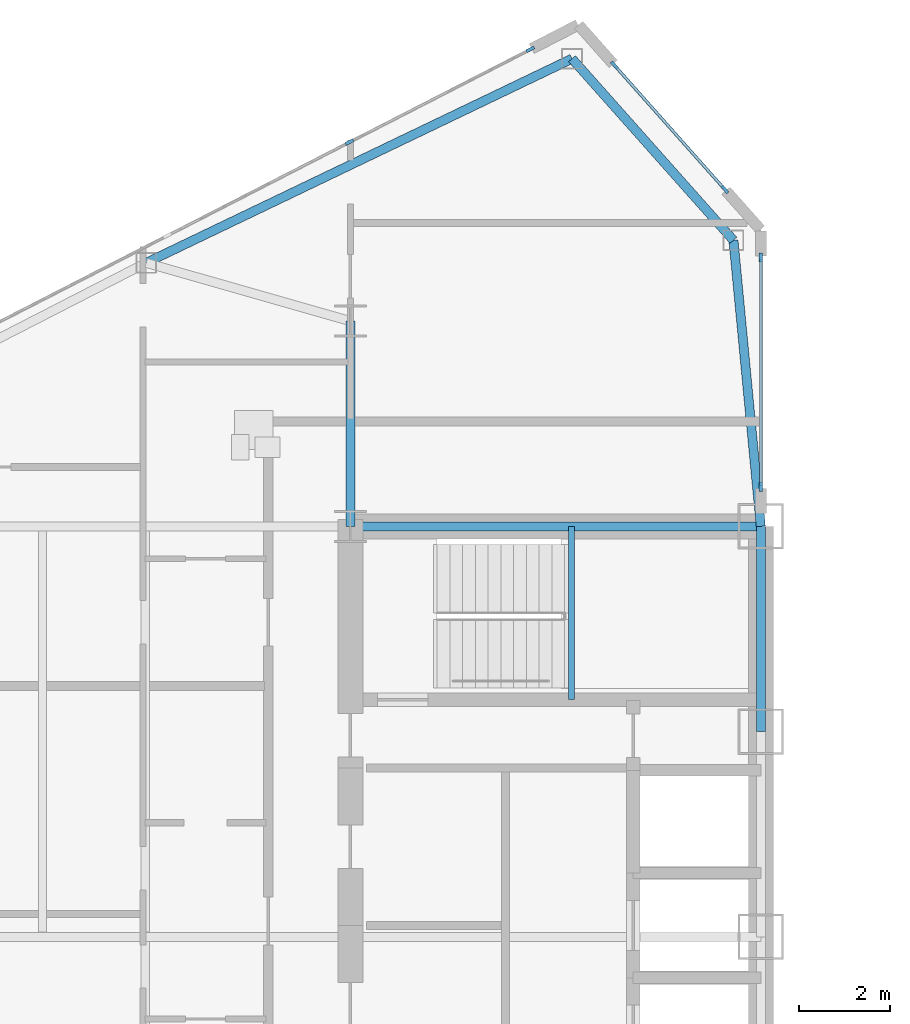
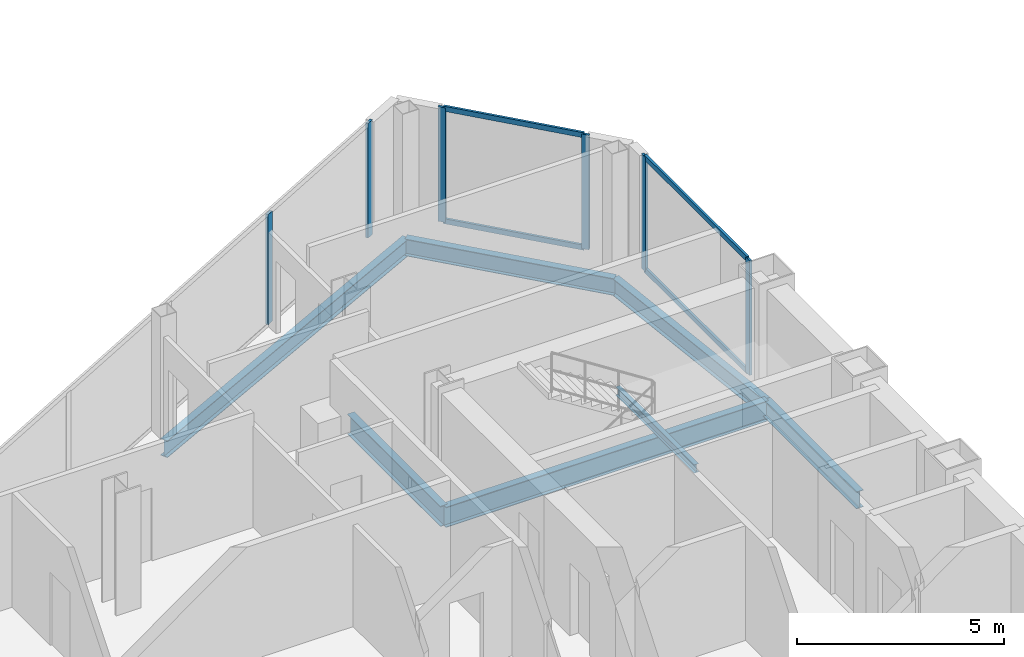
# One storey, part 7 of 23: 10 members, 7 beams, 3 elements without a shape of their own.
"""IFC4 building model written with IfcOpenShell, lengths in metres."""

import ifcopenshell
import ifcopenshell.guid

model = None  # the IFC model being written
_history = None  # IfcOwnerHistory: only IFC2X3 demands one
_inside = {}  # id of a spatial element -> (the spatial element, [elements in it])
_under = {}  # id of a project, library or spatial element -> (it, [spatial elements below it])
_declared = {}  # id of a project -> (the project, [libraries it declares])
_typed = {}  # id of a type object -> (the type object, [elements of that type])
_made_of = {}  # id of a material, layer set ... -> (it, [elements and type objects made of it])


def new_model(schema):
    """Start an empty IFC model of exactly this schema.

    Asked for "IFC4X3", IfcOpenShell would pick the latest addendum, in which some entities
    have other attributes; the version numbers below select the first issue.
    IFC2X3 requires an IfcOwnerHistory on every rooted entity: one is made here for all.
    """
    global model, _history
    if schema == "IFC4X3":
        model = ifcopenshell.file(schema_version=(4, 3, 0, 0))
    else:
        model = ifcopenshell.file(schema=schema)
    _inside.clear()
    _under.clear()
    _declared.clear()
    _typed.clear()
    _made_of.clear()
    _history = None
    if model.schema == "IFC2X3":
        org = make("IfcOrganization", Name="unknown")
        user = make(
            "IfcPersonAndOrganization",
            ThePerson=make("IfcPerson", FamilyName="unknown"),
            TheOrganization=org,
        )
        app = make(
            "IfcApplication",
            ApplicationDeveloper=org,
            Version="unknown",
            ApplicationFullName="unknown",
            ApplicationIdentifier="unknown",
        )
        _history = make(
            "IfcOwnerHistory",
            OwningUser=user,
            OwningApplication=app,
            ChangeAction="ADDED",
            CreationDate=0,
        )
    return model


def make(cls, **values):
    """One entity of the class cls with the attributes given. An attribute that is None is left unset."""
    return model.create_entity(
        cls, **{name: value for name, value in values.items() if value is not None}
    )


def rooted(cls, **values):
    """An entity with a GlobalId (a new one), such as an element, a storey or a relation."""
    return make(cls, GlobalId=ifcopenshell.guid.new(), OwnerHistory=_history, **values)


def si_unit(unit_type, name, prefix=None):
    """IfcSIUnit, for example si_unit("LENGTHUNIT", "METRE", prefix="MILLI")."""
    return make("IfcSIUnit", UnitType=unit_type, Prefix=prefix, Name=name)


def assignment(units):
    """IfcUnitAssignment: the units of a project."""
    return None if units is None else make("IfcUnitAssignment", Units=units)


def point(xyz):
    """IfcCartesianPoint."""
    return None if xyz is None else make("IfcCartesianPoint", Coordinates=xyz)


def direction(xyz):
    """IfcDirection."""
    return None if xyz is None else make("IfcDirection", DirectionRatios=xyz)


def frame(location, z_axis=None, x_axis=None):
    """IfcAxis2Placement3D, a coordinate frame: its origin and axes. An axis left out is left unset."""
    return make(
        "IfcAxis2Placement3D",
        Location=point(location),
        Axis=direction(z_axis),
        RefDirection=direction(x_axis),
    )


def frame_2d(location, x_axis=None):
    """IfcAxis2Placement2D, a coordinate frame in the plane: its origin and x axis."""
    return make(
        "IfcAxis2Placement2D", Location=point(location), RefDirection=direction(x_axis)
    )


def origin():
    """The frame at (0, 0, 0) with its axes left unset."""
    return frame((0.0, 0.0, 0.0))


def origin_2d():
    """The frame at (0, 0) in the plane with its x axis left unset."""
    return frame_2d((0.0, 0.0))


def place(relative_to, where):
    """IfcLocalPlacement: puts the frame where relative to a parent placement (None: the world)."""
    return make(
        "IfcLocalPlacement", PlacementRelTo=relative_to, RelativePlacement=where
    )


def context(
    kind, dimensions, precision=None, world=None, true_north=None, identifier=None
):
    """IfcGeometricRepresentationContext, for example the 3D "Model" context."""
    return make(
        "IfcGeometricRepresentationContext",
        ContextIdentifier=identifier,
        ContextType=kind,
        CoordinateSpaceDimension=dimensions,
        Precision=precision,
        WorldCoordinateSystem=world,
        TrueNorth=true_north,
    )


def subcontext(parent, identifier, kind, view, scale=None):
    """IfcGeometricRepresentationSubContext, for example "Body" below "Model"."""
    return make(
        "IfcGeometricRepresentationSubContext",
        ContextIdentifier=identifier,
        ContextType=kind,
        ParentContext=parent,
        TargetScale=scale,
        TargetView=view,
    )


def project(units=None, contexts=None):
    """IfcProject with its units and contexts."""
    return rooted(
        "IfcProject",
        Name="project",
        RepresentationContexts=contexts,
        UnitsInContext=assignment(units),
    )


def spatial(cls, under=None, at=None, **own):
    """A site, building, storey or space (cls), placed at a placement, below another one or the project."""
    s = rooted(cls, ObjectPlacement=at, **own)
    if under is not None:
        _under.setdefault(under.id(), (under, []))[1].append(s)
    return s


def profile(cls, at=None, kind="AREA", **sizes):
    """A parametric profile (cls). Its sizes go by their IFC names, for example OverallWidth=200.0."""
    return make(cls, ProfileType=kind, Position=at, **sizes)


def rectangle(**sizes):
    """IfcRectangleProfileDef."""
    return profile("IfcRectangleProfileDef", **sizes)


def i_section(**sizes):
    """IfcIShapeProfileDef."""
    return profile("IfcIShapeProfileDef", **sizes)


def extrude(swept, where, along, depth):
    """IfcExtrudedAreaSolid: the profile swept, set in the frame where, extruded along a direction by depth."""
    return make(
        "IfcExtrudedAreaSolid",
        SweptArea=swept,
        Position=where,
        ExtrudedDirection=direction(along),
        Depth=depth,
    )


def shape(context_of_items, identifier, shape_type, items):
    """IfcShapeRepresentation: the items that make up one representation, for example the "Body"."""
    return make(
        "IfcShapeRepresentation",
        ContextOfItems=context_of_items,
        RepresentationIdentifier=identifier,
        RepresentationType=shape_type,
        Items=items,
    )


def source(mapping_origin, context_of_items, identifier, shape_type, items):
    """IfcRepresentationMap: a shape defined once, which mapped items show again and again."""
    return make(
        "IfcRepresentationMap",
        MappingOrigin=mapping_origin,
        MappedRepresentation=shape(context_of_items, identifier, shape_type, items),
    )


def transform(
    local_origin,
    x_axis=None,
    y_axis=None,
    z_axis=None,
    scale=None,
    scale2=None,
    scale3=None,
    uniform=True,
):
    """IfcCartesianTransformationOperator3D, or its non-uniform kind. x_axis, y_axis, z_axis: its Axis1, 2, 3."""
    if uniform:
        return make(
            "IfcCartesianTransformationOperator3D",
            Axis1=direction(x_axis),
            Axis2=direction(y_axis),
            LocalOrigin=point(local_origin),
            Scale=scale,
            Axis3=direction(z_axis),
        )
    return make(
        "IfcCartesianTransformationOperator3DnonUniform",
        Axis1=direction(x_axis),
        Axis2=direction(y_axis),
        LocalOrigin=point(local_origin),
        Scale=scale,
        Axis3=direction(z_axis),
        Scale2=scale2,
        Scale3=scale3,
    )


def mapped(mapping_source, mapping_target):
    """IfcMappedItem: shows the shape of a source again, moved by a transform."""
    return make(
        "IfcMappedItem", MappingSource=mapping_source, MappingTarget=mapping_target
    )


def material(Name=None, Category=None):
    """IfcMaterial."""
    return make("IfcMaterial", Name=Name, Category=Category)


def layer(
    of_material, thickness, ventilated=None, Name=None, Category=None, Priority=None
):
    """IfcMaterialLayer: one layer of a wall or slab, of a material (None: an air gap)."""
    return make(
        "IfcMaterialLayer",
        Material=of_material,
        LayerThickness=thickness,
        IsVentilated=ventilated,
        Name=Name,
        Category=Category,
        Priority=Priority,
    )


def layer_set(layers, Name=None):
    """IfcMaterialLayerSet."""
    return make("IfcMaterialLayerSet", MaterialLayers=layers, LayerSetName=Name)


def material_profile(
    of_material, cross_section, Name=None, Category=None, Priority=None
):
    """IfcMaterialProfile: a cross section and its material."""
    return make(
        "IfcMaterialProfile",
        Name=Name,
        Material=of_material,
        Profile=cross_section,
        Priority=Priority,
        Category=Category,
    )


def profile_set(profiles, Name=None, composite=None):
    """IfcMaterialProfileSet."""
    return make(
        "IfcMaterialProfileSet",
        Name=Name,
        MaterialProfiles=profiles,
        CompositeProfile=composite,
    )


def made_of(thing, what):
    """Note that an element or type object is made of a material, layer set ...; save() writes the relation."""
    if what is not None:
        _made_of.setdefault(what.id(), (what, []))[1].append(thing)
    return thing


def type_object(cls, material=None, **own):
    """A type object (cls), such as IfcWallType, which elements share."""
    return made_of(rooted(cls, **own), material)


def type_shapes(of_type, sources):
    """Give a type object the sources (RepresentationMaps) that its elements show as mapped items."""
    of_type.RepresentationMaps = sources


def element(
    cls,
    number,
    at=None,
    inside=None,
    cuts=None,
    type_object=None,
    material=None,
    context=None,
    identifier="Body",
    shape_type=None,
    held_by="IfcProductDefinitionShape",
    body=None,
    shapes=None,
    **own,
):
    """One element of the class cls, such as IfcWall. Its Tag is "e" and its number.

    at: its placement. inside: the storey or other place that contains it. cuts: it is an
    opening in that element (IfcRelVoidsElement). A single representation is given by context,
    identifier, shape_type and body (its items); several are given by shapes. held_by: the class
    of the entity that holds the representations. save() writes the other relations.
    """
    e = rooted(cls, Tag="e%d" % number, ObjectPlacement=at, **own)
    if body is not None:
        shapes = [shape(context, identifier, shape_type, body)]
    if shapes is not None:
        e.Representation = make(held_by, Representations=shapes)
    if inside is not None:
        _inside.setdefault(inside.id(), (inside, []))[1].append(e)
    if cuts is not None:
        rooted(
            "IfcRelVoidsElement", RelatingBuildingElement=cuts, RelatedOpeningElement=e
        )
    if type_object is not None:
        _typed.setdefault(type_object.id(), (type_object, []))[1].append(e)
    return made_of(e, material)


def aggregate(whole, parts):
    """IfcRelAggregates: a whole, such as a stair, and the parts it consists of."""
    return rooted("IfcRelAggregates", RelatingObject=whole, RelatedObjects=parts)


def save(model, path):
    """Write the relations noted so far, then the file.

    IfcRelAggregates (storeys below a building ...), IfcRelContainedInSpatialStructure (elements
    in a storey), IfcRelDefinesByType, IfcRelAssociatesMaterial and IfcRelDeclares: one each for
    every whole, place, type object, material and project.
    """
    for whole, parts in _under.values():
        aggregate(whole, parts)
    for where, things in _inside.values():
        rooted(
            "IfcRelContainedInSpatialStructure",
            RelatedElements=things,
            RelatingStructure=where,
        )
    for kind, things in _typed.values():
        rooted("IfcRelDefinesByType", RelatedObjects=things, RelatingType=kind)
    for what, things in _made_of.values():
        rooted("IfcRelAssociatesMaterial", RelatedObjects=things, RelatingMaterial=what)
    for by, libraries in _declared.values():
        rooted("IfcRelDeclares", RelatingContext=by, RelatedDefinitions=libraries)
    model.write(path)


model = new_model("IFC4")

# Units and contexts
model_context = context("Model", 3, precision=1e-05, world=origin(), true_north=direction((0.0, 1.0)))
body_context = subcontext(model_context, "Body", "Model", "MODEL_VIEW")
ifc_project = project(units=[si_unit("LENGTHUNIT", "METRE"), si_unit("AREAUNIT", "SQUARE_METRE"), si_unit("VOLUMEUNIT", "CUBIC_METRE"), si_unit("PLANEANGLEUNIT", "RADIAN"), si_unit("MASSUNIT", "GRAM", prefix="KILO")], contexts=[model_context])

# Site, building, storey
site_placement = place(None, origin())
site = spatial("IfcSite", under=ifc_project, at=site_placement, CompositionType="ELEMENT")
building_placement = place(site_placement, origin())
building = spatial("IfcBuilding", under=site, at=building_placement, Name="Seokmaru Belvedere", CompositionType="ELEMENT")
storey_placement = place(building_placement, frame((0.0, 0.0, 147.60009765625)))
storey = spatial("IfcBuildingStorey", under=building, at=storey_placement, Name="L39", CompositionType="ELEMENT", Elevation=147.60009765625)

# Beams
ifc_material_1 = material(Name="Steel SM355 (355 MPa)", Category="steel")
ifc_material_profile_1 = material_profile(ifc_material_1, i_section(OverallWidth=0.199951171875, OverallDepth=0.5, WebThickness=0.010009765625, FlangeThickness=0.01611328125, at=origin_2d()), Name="H-500x200x10x16")
ifc_profile_set_1 = profile_set([ifc_material_profile_1], Name="Steel SM355 (355 MPa)")
beam_type_1 = type_object("IfcBeamType", Name="Perimeter Spandrel Beam H-500", PredefinedType="SPANDREL", material=ifc_profile_set_1)
shared_shape_1 = source(origin(), body_context, "Body", "SweptSolid", [
    extrude(i_section(OverallWidth=0.199951171875, OverallDepth=0.5, WebThickness=0.010009765625, FlangeThickness=0.01611328125, at=origin_2d()), origin(), (0.0, 0.0, 1.0), 4.5),
])
beam_1_placement = place(storey_placement, frame((-27.5, 9.0, -0.47021484375), z_axis=(0.0, 1.0, 0.0), x_axis=(-1.0, 0.0, 0.0)))
element("IfcBeam", 1, at=beam_1_placement, inside=storey, type_object=beam_type_1, Name="L39 W Portal Spine Spandrel 5", PredefinedType="SPANDREL", context=body_context, shape_type="MappedRepresentation", body=[
    mapped(shared_shape_1, transform((0.0, 0.0, 0.0), scale=1.0)),
])
ifc_material_profile_2 = material_profile(ifc_material_1, i_section(OverallWidth=0.199951171875, OverallDepth=0.60009765625, WebThickness=0.010986328125, FlangeThickness=0.01708984375, at=origin_2d()), Name="H-600x200x11x17")
ifc_profile_set_2 = profile_set([ifc_material_profile_2], Name="Steel SM355 (355 MPa)")
beam_type_2 = type_object("IfcBeamType", Name="Primary Floor Girder H-600", PredefinedType="BEAM", material=ifc_profile_set_2)
shared_shape_2 = source(origin(), body_context, "Body", "SweptSolid", [
    extrude(i_section(OverallWidth=0.199951171875, OverallDepth=0.60009765625, WebThickness=0.010986328125, FlangeThickness=0.01708984375, at=origin_2d()), origin(), (0.0, 0.0, 1.0), 9.0),
])
beam_2_placement = place(storey_placement, frame((-36.5, 13.5, -0.52001953125), z_axis=(1.0, 0.0, 0.0), x_axis=(0.0, 1.0, 0.0)))
element("IfcBeam", 2, at=beam_2_placement, inside=storey, type_object=beam_type_2, Name="L39 W Core Tie Girder 4", PredefinedType="BEAM", context=body_context, shape_type="MappedRepresentation", body=[
    mapped(shared_shape_2, transform((0.0, 0.0, 0.0), scale=1.0)),
])
shared_shape_3 = source(origin(), body_context, "Body", "SweptSolid", [
    extrude(i_section(OverallWidth=0.199951171875, OverallDepth=0.60009765625, WebThickness=0.010986328125, FlangeThickness=0.01708984375, at=origin_2d()), origin(), (0.0, 0.0, 1.0), 4.5),
])
type_shapes(beam_type_2, [shared_shape_2, shared_shape_3])
beam_3_placement = place(storey_placement, frame((-36.5, 13.5, -0.52001953125), z_axis=(0.0, 1.0, 0.0), x_axis=(-1.0, 0.0, 0.0)))
element("IfcBeam", 3, at=beam_3_placement, inside=storey, type_object=beam_type_2, Name="L39 W Core Shoulder Girder N", PredefinedType="BEAM", context=body_context, shape_type="MappedRepresentation", body=[
    mapped(shared_shape_3, transform((0.0, 0.0, 0.0), scale=1.0)),
])
shared_shape_4 = source(origin(), body_context, "Body", "SweptSolid", [
    extrude(i_section(OverallWidth=0.199951171875, OverallDepth=0.5, WebThickness=0.010009765625, FlangeThickness=0.01611328125, at=origin_2d()), origin(), (0.0, 0.0, 1.0), 10.353759765625),
])
beam_4_placement = place(storey_placement, frame((-31.6396484375, 23.75390625, -0.47021484375), z_axis=(-0.901713202822, -0.432334708134, 0.0), x_axis=(0.432334708134, -0.901713202822, 0.0)))
element("IfcBeam", 4, at=beam_4_placement, inside=storey, type_object=beam_type_1, Name="L39 W Faceted Flank Spandrel N-1", PredefinedType="SPANDREL", context=body_context, shape_type="MappedRepresentation", body=[
    mapped(shared_shape_4, transform((0.0, 0.0, 0.0), scale=1.0)),
])
shared_shape_5 = source(origin(), body_context, "Body", "SweptSolid", [
    extrude(i_section(OverallWidth=0.199951171875, OverallDepth=0.5, WebThickness=0.010009765625, FlangeThickness=0.01611328125, at=origin_2d()), origin(), (0.0, 0.0, 1.0), 5.32763671875),
])
beam_5_placement = place(storey_placement, frame((-31.6396484375, 23.75390625, -0.47021484375), z_axis=(0.66436952742, -0.74740426212, 0.0), x_axis=(0.74740426212, 0.66436952742, 0.0)))
element("IfcBeam", 5, at=beam_5_placement, inside=storey, type_object=beam_type_1, Name="L39 W Shoulder Chamfer Spandrel N", PredefinedType="SPANDREL", context=body_context, shape_type="MappedRepresentation", body=[
    mapped(shared_shape_5, transform((0.0, 0.0, 0.0), scale=1.0)),
])
shared_shape_6 = source(origin(), body_context, "Body", "SweptSolid", [
    extrude(i_section(OverallWidth=0.199951171875, OverallDepth=0.5, WebThickness=0.010009765625, FlangeThickness=0.01611328125, at=origin_2d()), origin(), (0.0, 0.0, 1.0), 6.300537109375),
])
type_shapes(beam_type_1, [shared_shape_1, shared_shape_4, shared_shape_5, shared_shape_6])
beam_6_placement = place(storey_placement, frame((-28.10009765625, 19.77197265625, -0.47021484375), z_axis=(0.095244287992, -0.995453929424, 0.0), x_axis=(0.995453929424, 0.095244287992, 0.0)))
element("IfcBeam", 6, at=beam_6_placement, inside=storey, type_object=beam_type_1, Name="L39 W Shoulder Spine Spandrel N", PredefinedType="SPANDREL", context=body_context, shape_type="MappedRepresentation", body=[
    mapped(shared_shape_6, transform((0.0, 0.0, 0.0), scale=1.0)),
])

# Curtain wall, members
ifc_material_2 = material(Name="Bronze Triple Insulating Glass", Category="glass")
ifc_layer = layer(ifc_material_2, 0.195068359375)
ifc_layer_set = layer_set([ifc_layer], Name="Bronze Triple Insulating Glass")
curtain_wall_type = type_object("IfcCurtainWallType", Name="Sky-Lobby and Mid-Rise Curtain Wall System CW-4", PredefinedType="NOTDEFINED", material=ifc_layer_set)
curtain_wall_1_placement = place(storey_placement, origin())
curtain_wall_1 = element("IfcCurtainWall", 7, at=curtain_wall_1_placement, inside=storey, type_object=curtain_wall_type, Name="L39 Curtain Wall WSP_2", PredefinedType="NOTDEFINED")
ifc_material_3 = material(Name="Anodised Bronze Aluminium", Category="aluminium")
ifc_material_profile_3 = material_profile(ifc_material_3, rectangle(XDim=0.070068359375, YDim=0.195068359375, at=origin_2d()), Name="CW-M-70x195")
ifc_profile_set_3 = profile_set([ifc_material_profile_3], Name="Anodised Bronze Aluminium")
member_type_1 = type_object("IfcMemberType", Name="Bronze Unitised Mullion 70x195", PredefinedType="MULLION", material=ifc_profile_set_3)
shared_shape_7 = source(origin(), body_context, "Body", "SweptSolid", [
    extrude(rectangle(XDim=0.070068359375, YDim=0.195068359375, at=origin_2d()), origin(), (0.0, 0.0, 1.0), 3.3798828125),
])
member_1_placement = place(storey_placement, frame((-27.5, 14.364990234375, 0.0), z_axis=(0.0, 0.0, 1.0), x_axis=(-1.0, 0.0, 0.0)))
member_1 = element("IfcMember", 8, at=member_1_placement, type_object=member_type_1, Name="CW:L39:WSP_2 Mullion 1", PredefinedType="MULLION", context=body_context, shape_type="MappedRepresentation", body=[
    mapped(shared_shape_7, transform((0.0, 0.0, 0.0), scale=1.0)),
])
member_2_placement = place(storey_placement, frame((-27.5, 19.39501953125, 0.0), z_axis=(0.0, 0.0, 1.0), x_axis=(-1.0, 0.0, 0.0)))
member_2 = element("IfcMember", 9, at=member_2_placement, type_object=member_type_1, Name="CW:L39:WSP_2 Mullion 2", PredefinedType="MULLION", context=body_context, shape_type="MappedRepresentation", body=[
    mapped(shared_shape_7, transform((0.0, 0.0, 0.0), scale=1.0)),
])

curtain_wall_2_placement = place(storey_placement, origin())
curtain_wall_2 = element("IfcCurtainWall", 10, at=curtain_wall_2_placement, inside=storey, type_object=curtain_wall_type, Name="L39 Curtain Wall WF2", PredefinedType="NOTDEFINED")
member_3_placement = place(storey_placement, frame((-28.287353515625, 20.8857421875, 0.0), z_axis=(0.0, 0.0, 1.0), x_axis=(-0.747409774804, -0.664363325694, 0.0)))
member_3 = element("IfcMember", 11, at=member_3_placement, type_object=member_type_1, Name="CW:L39:WF2 Mullion 1", PredefinedType="MULLION", context=body_context, shape_type="MappedRepresentation", body=[
    mapped(shared_shape_7, transform((0.0, 0.0, 0.0), scale=1.0)),
])
member_4_placement = place(storey_placement, frame((-30.712646484375, 23.6142578125, 0.0), z_axis=(0.0, 0.0, 1.0), x_axis=(-0.747409774804, -0.664363325694, 0.0)))
member_4 = element("IfcMember", 12, at=member_4_placement, type_object=member_type_1, Name="CW:L39:WF2 Mullion 2", PredefinedType="MULLION", context=body_context, shape_type="MappedRepresentation", body=[
    mapped(shared_shape_7, transform((0.0, 0.0, 0.0), scale=1.0)),
])

# Curtain wall, member
curtain_wall_3_placement = place(storey_placement, origin())
curtain_wall_3 = element("IfcCurtainWall", 13, at=curtain_wall_3_placement, inside=storey, type_object=curtain_wall_type, Name="L39 Curtain Wall WF3", PredefinedType="NOTDEFINED")
member_5_placement = place(storey_placement, frame((-32.55419921875, 23.958984375, 0.0), z_axis=(0.0, 0.0, 1.0), x_axis=(0.456554528263, -0.889695432562, 0.0)))
member_5 = element("IfcMember", 14, at=member_5_placement, type_object=member_type_1, Name="CW:L39:WF3 Mullion 1", PredefinedType="MULLION", context=body_context, shape_type="MappedRepresentation", body=[
    mapped(shared_shape_7, transform((0.0, 0.0, 0.0), scale=1.0)),
])

# Member
ifc_material_profile_4 = material_profile(ifc_material_3, rectangle(XDim=0.06494140625, YDim=0.14990234375, at=origin_2d()), Name="CW-T-65x150")
ifc_profile_set_4 = profile_set([ifc_material_profile_4], Name="Anodised Bronze Aluminium")
member_type_2 = type_object("IfcMemberType", Name="Bronze Unitised Transom 65x150", PredefinedType="USERDEFINED", material=ifc_profile_set_4)
shared_shape_8 = source(origin(), body_context, "Body", "SweptSolid", [
    extrude(rectangle(XDim=0.06494140625, YDim=0.14990234375, at=origin_2d()), origin(), (0.0, 0.0, 1.0), 3.580810546875),
])
member_6_placement = place(storey_placement, frame((-28.310546875, 20.911865234375, 0.032470703125), z_axis=(-0.66436383883, 0.747409318684, 0.0), x_axis=(-0.747409318684, -0.66436383883, 0.0)))
member_6 = element("IfcMember", 15, at=member_6_placement, type_object=member_type_2, Name="CW:L39:WF2 Continuous Transom 1", ObjectType="TRANSOM", PredefinedType="USERDEFINED", context=body_context, shape_type="MappedRepresentation", body=[
    mapped(shared_shape_8, transform((0.0, 0.0, 0.0), scale=1.0)),
])

member_7_placement = place(storey_placement, frame((-28.310546875, 20.911865234375, 3.347412109375), z_axis=(-0.66436383883, 0.747409318684, 0.0), x_axis=(-0.747409318684, -0.66436383883, 0.0)))
member_7 = element("IfcMember", 16, at=member_7_placement, type_object=member_type_2, Name="CW:L39:WF2 Continuous Transom 2", ObjectType="TRANSOM", PredefinedType="USERDEFINED", context=body_context, shape_type="MappedRepresentation", body=[
    mapped(shared_shape_8, transform((0.0, 0.0, 0.0), scale=1.0)),
])

aggregate(curtain_wall_2, [member_3, member_4, member_6, member_7])

shared_shape_9 = source(origin(), body_context, "Body", "SweptSolid", [
    extrude(rectangle(XDim=0.070068359375, YDim=0.195068359375, at=origin_2d()), origin(), (0.0, 0.0, 1.0), 3.25),
])
type_shapes(member_type_1, [shared_shape_7, shared_shape_9])
member_8_placement = place(storey_placement, frame((-36.51806640625, 21.925048828125, 0.06494140625), z_axis=(0.0, 0.0, 1.0), x_axis=(0.456554528263, -0.889695432562, 0.0)))
member_8 = element("IfcMember", 17, at=member_8_placement, type_object=member_type_1, Name="CW:L39:WF3 Mullion 2", PredefinedType="MULLION", context=body_context, shape_type="MappedRepresentation", body=[
    mapped(shared_shape_9, transform((0.0, 0.0, 0.0), scale=1.0)),
])

aggregate(curtain_wall_3, [member_5, member_8])

shared_shape_10 = source(origin(), body_context, "Body", "SweptSolid", [
    extrude(rectangle(XDim=0.06494140625, YDim=0.14990234375, at=origin_2d()), origin(), (0.0, 0.0, 1.0), 4.960205078125),
])
type_shapes(member_type_2, [shared_shape_8, shared_shape_10])
member_9_placement = place(storey_placement, frame((-27.5, 14.39990234375, 0.032470703125), z_axis=(0.0, 1.0, 0.0), x_axis=(-1.0, 0.0, 0.0)))
member_9 = element("IfcMember", 18, at=member_9_placement, type_object=member_type_2, Name="CW:L39:WSP_2 Continuous Transom 1", ObjectType="TRANSOM", PredefinedType="USERDEFINED", context=body_context, shape_type="MappedRepresentation", body=[
    mapped(shared_shape_10, transform((0.0, 0.0, 0.0), scale=1.0)),
])

member_10_placement = place(storey_placement, frame((-27.5, 14.39990234375, 3.347412109375), z_axis=(0.0, 1.0, 0.0), x_axis=(-1.0, 0.0, 0.0)))
member_10 = element("IfcMember", 19, at=member_10_placement, type_object=member_type_2, Name="CW:L39:WSP_2 Continuous Transom 2", ObjectType="TRANSOM", PredefinedType="USERDEFINED", context=body_context, shape_type="MappedRepresentation", body=[
    mapped(shared_shape_10, transform((0.0, 0.0, 0.0), scale=1.0)),
])

aggregate(curtain_wall_1, [member_1, member_2, member_9, member_10])

# Beam
ifc_material_profile_5 = material_profile(ifc_material_1, i_section(OverallWidth=0.125, OverallDepth=0.25, WebThickness=0.006103515625, FlangeThickness=0.009033203125, at=origin_2d()), Name="H-250x125x6x9")
ifc_profile_set_5 = profile_set([ifc_material_profile_5], Name="Steel SM355 (355 MPa)")
beam_type_3 = type_object("IfcBeamType", Name="Stair Mid-Landing Support Beam H-250", PredefinedType="JOIST", material=ifc_profile_set_5)
shared_shape_11 = source(origin(), body_context, "Body", "SweptSolid", [
    extrude(i_section(OverallWidth=0.125, OverallDepth=0.25, WebThickness=0.006103515625, FlangeThickness=0.009033203125, at=origin_2d()), origin(), (0.0, 0.0, 1.0), 3.800048828125),
])
type_shapes(beam_type_3, [shared_shape_11])
beam_7_placement = place(storey_placement, frame((-31.64990234375, 9.699951171875, 1.474853515625), z_axis=(0.0, 1.0, 0.0), x_axis=(-1.0, 0.0, 0.0)))
element("IfcBeam", 20, at=beam_7_placement, inside=storey, type_object=beam_type_3, Name="L39 Stair ST-W2 Mid-Landing Support Beam 1", PredefinedType="JOIST", context=body_context, shape_type="MappedRepresentation", body=[
    mapped(shared_shape_11, transform((0.0, 0.0, 0.0), scale=1.0)),
])

save(model, "model.ifc")
